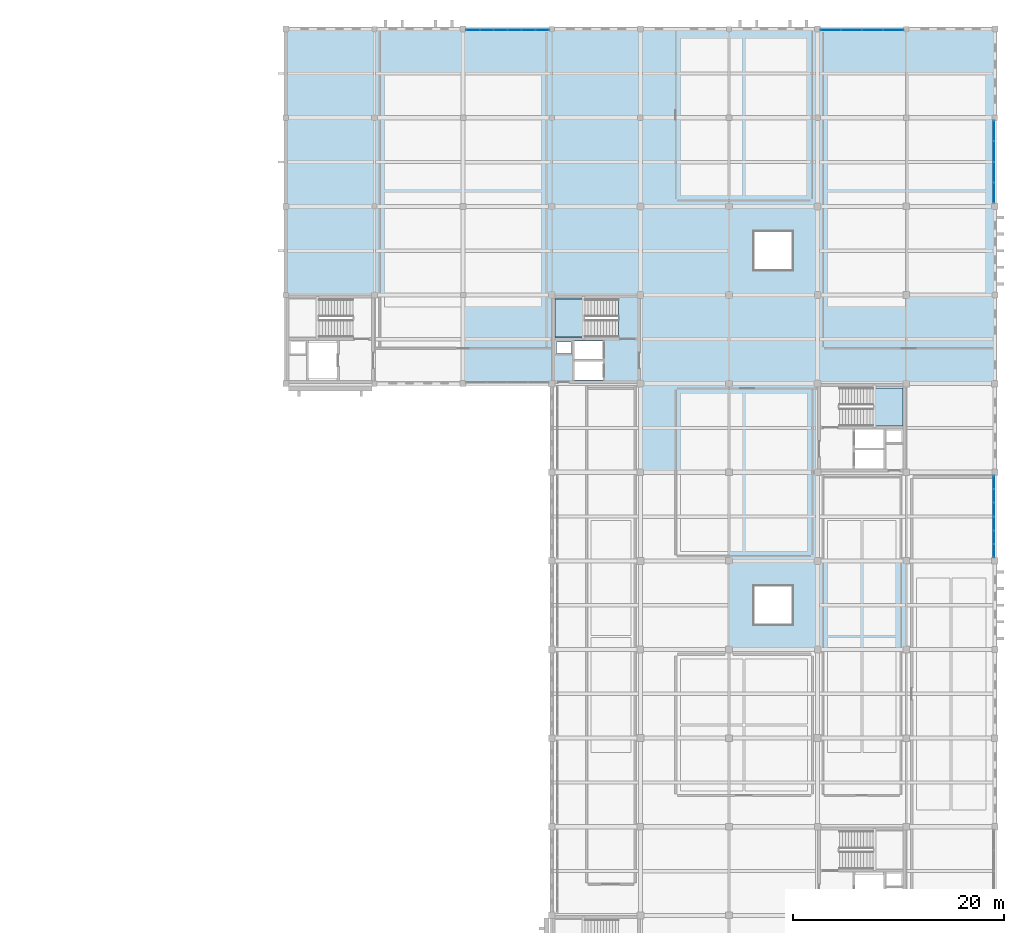
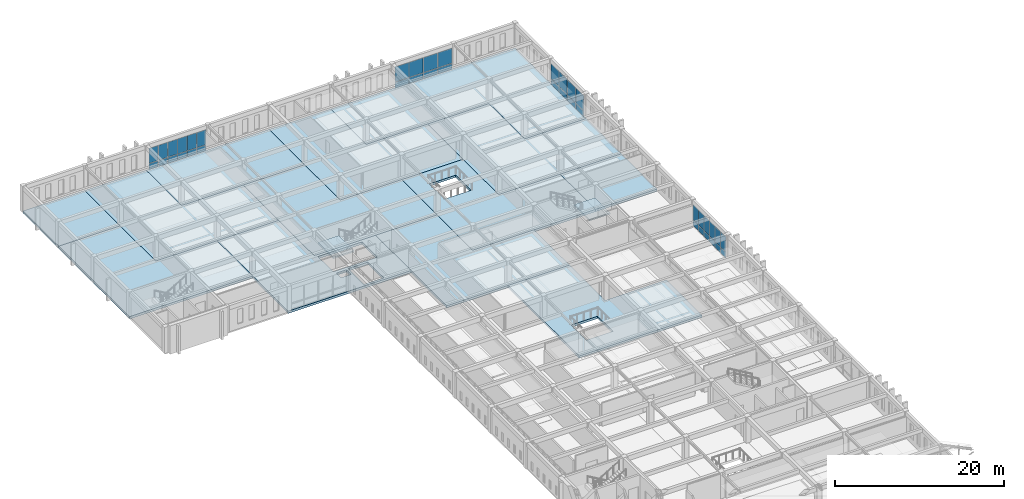
# One storey, part 25 of 47: 40 plates, 15 slabs, 6 elements without a shape of their own.
"""IFC4 building model written with IfcOpenShell, lengths in metres."""

from ifc_helpers import new_model, si_unit, direction, frame, origin, origin_2d, place, context, subcontext, project, spatial, polyline, rectangle, outline, extrude, material, layer, layer_set, type_object, element, aggregate, save


model = new_model("IFC4")

# Units and contexts
model_context = context("Model", 3, precision=1e-05, world=origin(), true_north=direction((0.0, 1.0)))
body_context = subcontext(model_context, "Body", "Model", "MODEL_VIEW")
ifc_project = project(units=[si_unit("LENGTHUNIT", "METRE"), si_unit("AREAUNIT", "SQUARE_METRE"), si_unit("VOLUMEUNIT", "CUBIC_METRE"), si_unit("PLANEANGLEUNIT", "RADIAN"), si_unit("MASSUNIT", "GRAM", prefix="KILO")], contexts=[model_context])

# Site, building, storey
site_placement = place(None, origin())
site = spatial("IfcSite", under=ifc_project, at=site_placement, CompositionType="ELEMENT")
building_placement = place(site_placement, origin())
building = spatial("IfcBuilding", under=site, at=building_placement, Name="Kveldsbrygga Polytechnic", CompositionType="ELEMENT")
storey_placement = place(building_placement, frame((0.0, 0.0, 13.93994140625)))
storey = spatial("IfcBuildingStorey", under=building, at=storey_placement, Name="L03", CompositionType="ELEMENT", Elevation=13.93994140625)

# Curtain wall, plates
ifc_material_1 = material(Name="Anodised aluminium AW-6060", Category="aluminium")
ifc_layer_1 = layer(ifc_material_1, 0.179931640625)
ifc_layer_set_1 = layer_set([ifc_layer_1], Name="Anodised aluminium AW-6060")
curtain_wall_type_1 = type_object("IfcCurtainWallType", Name="CW-CONC-A", PredefinedType="USERDEFINED", material=ifc_layer_set_1)
curtain_wall_1_placement = place(storey_placement, origin())
curtain_wall_1 = element("IfcCurtainWall", 1, at=curtain_wall_1_placement, inside=storey, type_object=curtain_wall_type_1, Name="Curtain Wall CW-L03-X-14-14", ObjectType="UNITISED CURTAIN WALL", PredefinedType="USERDEFINED")
ifc_material_2 = material(Name="Insulated triple low-E glass", Category="glass")
ifc_layer_2 = layer(ifc_material_2, 0.035888671875)
ifc_layer_set_2 = layer_set([ifc_layer_2], Name="Insulated triple low-E glass")
plate_type_1 = type_object("IfcPlateType", Name="CW-PAN-VIS36", PredefinedType="CURTAIN_PANEL", material=ifc_layer_set_2)
plate_1_placement = place(storey_placement, frame((118.53369140625, 117.5, 0.06005859375), z_axis=(0.0, 0.0, 1.0), x_axis=(1.0, 0.0, 0.0)))
plate_1 = element("IfcPlate", 2, at=plate_1_placement, type_object=plate_type_1, Name="CW-01 panel 1.1", PredefinedType="CURTAIN_PANEL", context=body_context, shape_type="SweptSolid", body=[
    extrude(rectangle(XDim=1.2275390625, YDim=0.035888671875, at=origin_2d()), origin(), (0.0, 0.0, 1.0), 0.81005859375),
])
plate_2_placement = place(storey_placement, frame((118.53369140625, 117.5, 0.93017578125), z_axis=(0.0, 0.0, 1.0), x_axis=(1.0, 0.0, 0.0)))
plate_2 = element("IfcPlate", 3, at=plate_2_placement, type_object=plate_type_1, Name="CW-01 panel 1.2", PredefinedType="CURTAIN_PANEL", context=body_context, shape_type="SweptSolid", body=[
    extrude(rectangle(XDim=1.2275390625, YDim=0.035888671875, at=origin_2d()), origin(), (0.0, 0.0, 1.0), 2.159912109375),
])
plate_3_placement = place(storey_placement, frame((119.836181640625, 117.5, 0.06005859375), z_axis=(0.0, 0.0, 1.0), x_axis=(1.0, 0.0, 0.0)))
plate_3 = element("IfcPlate", 4, at=plate_3_placement, type_object=plate_type_1, Name="CW-01 panel 2.1", PredefinedType="CURTAIN_PANEL", context=body_context, shape_type="SweptSolid", body=[
    extrude(rectangle(XDim=1.257568359375, YDim=0.035888671875, at=origin_2d()), origin(), (0.0, 0.0, 1.0), 0.81005859375),
])
plate_4_placement = place(storey_placement, frame((119.836181640625, 117.5, 0.93017578125), z_axis=(0.0, 0.0, 1.0), x_axis=(1.0, 0.0, 0.0)))
plate_4 = element("IfcPlate", 5, at=plate_4_placement, type_object=plate_type_1, Name="CW-01 panel 2.2", PredefinedType="CURTAIN_PANEL", context=body_context, shape_type="SweptSolid", body=[
    extrude(rectangle(XDim=1.257568359375, YDim=0.035888671875, at=origin_2d()), origin(), (0.0, 0.0, 1.0), 2.159912109375),
])
plate_5_placement = place(storey_placement, frame((121.15380859375, 117.5, 0.06005859375), z_axis=(0.0, 0.0, 1.0), x_axis=(1.0, 0.0, 0.0)))
plate_5 = element("IfcPlate", 6, at=plate_5_placement, type_object=plate_type_1, Name="CW-01 panel 3.1", PredefinedType="CURTAIN_PANEL", context=body_context, shape_type="SweptSolid", body=[
    extrude(rectangle(XDim=1.257568359375, YDim=0.035888671875, at=origin_2d()), origin(), (0.0, 0.0, 1.0), 0.81005859375),
])
plate_6_placement = place(storey_placement, frame((121.15380859375, 117.5, 0.93017578125), z_axis=(0.0, 0.0, 1.0), x_axis=(1.0, 0.0, 0.0)))
plate_6 = element("IfcPlate", 7, at=plate_6_placement, type_object=plate_type_1, Name="CW-01 panel 3.2", PredefinedType="CURTAIN_PANEL", context=body_context, shape_type="SweptSolid", body=[
    extrude(rectangle(XDim=1.257568359375, YDim=0.035888671875, at=origin_2d()), origin(), (0.0, 0.0, 1.0), 2.159912109375),
])
plate_7_placement = place(storey_placement, frame((122.47119140625, 117.5, 0.06005859375), z_axis=(0.0, 0.0, 1.0), x_axis=(1.0, 0.0, 0.0)))
plate_7 = element("IfcPlate", 8, at=plate_7_placement, type_object=plate_type_1, Name="CW-01 panel 4.1", PredefinedType="CURTAIN_PANEL", context=body_context, shape_type="SweptSolid", body=[
    extrude(rectangle(XDim=1.257568359375, YDim=0.035888671875, at=origin_2d()), origin(), (0.0, 0.0, 1.0), 0.81005859375),
])
plate_8_placement = place(storey_placement, frame((122.47119140625, 117.5, 0.93017578125), z_axis=(0.0, 0.0, 1.0), x_axis=(1.0, 0.0, 0.0)))
plate_8 = element("IfcPlate", 9, at=plate_8_placement, type_object=plate_type_1, Name="CW-01 panel 4.2", PredefinedType="CURTAIN_PANEL", context=body_context, shape_type="SweptSolid", body=[
    extrude(rectangle(XDim=1.257568359375, YDim=0.035888671875, at=origin_2d()), origin(), (0.0, 0.0, 1.0), 2.159912109375),
])
plate_9_placement = place(storey_placement, frame((123.788818359375, 117.5, 0.06005859375), z_axis=(0.0, 0.0, 1.0), x_axis=(1.0, 0.0, 0.0)))
plate_9 = element("IfcPlate", 10, at=plate_9_placement, type_object=plate_type_1, Name="CW-01 panel 5.1", PredefinedType="CURTAIN_PANEL", context=body_context, shape_type="SweptSolid", body=[
    extrude(rectangle(XDim=1.257568359375, YDim=0.035888671875, at=origin_2d()), origin(), (0.0, 0.0, 1.0), 0.81005859375),
])
plate_10_placement = place(storey_placement, frame((123.788818359375, 117.5, 0.93017578125), z_axis=(0.0, 0.0, 1.0), x_axis=(1.0, 0.0, 0.0)))
plate_10 = element("IfcPlate", 11, at=plate_10_placement, type_object=plate_type_1, Name="CW-01 panel 5.2", PredefinedType="CURTAIN_PANEL", context=body_context, shape_type="SweptSolid", body=[
    extrude(rectangle(XDim=1.257568359375, YDim=0.035888671875, at=origin_2d()), origin(), (0.0, 0.0, 1.0), 2.159912109375),
])
plate_11_placement = place(storey_placement, frame((125.09130859375, 117.5, 0.06005859375), z_axis=(0.0, 0.0, 1.0), x_axis=(1.0, 0.0, 0.0)))
plate_11 = element("IfcPlate", 12, at=plate_11_placement, type_object=plate_type_1, Name="CW-01 panel 6.1", PredefinedType="CURTAIN_PANEL", context=body_context, shape_type="SweptSolid", body=[
    extrude(rectangle(XDim=1.2275390625, YDim=0.035888671875, at=origin_2d()), origin(), (0.0, 0.0, 1.0), 0.81005859375),
])
plate_12_placement = place(storey_placement, frame((125.09130859375, 117.5, 0.93017578125), z_axis=(0.0, 0.0, 1.0), x_axis=(1.0, 0.0, 0.0)))
plate_12 = element("IfcPlate", 13, at=plate_12_placement, type_object=plate_type_1, Name="CW-01 panel 6.2", PredefinedType="CURTAIN_PANEL", context=body_context, shape_type="SweptSolid", body=[
    extrude(rectangle(XDim=1.2275390625, YDim=0.035888671875, at=origin_2d()), origin(), (0.0, 0.0, 1.0), 2.159912109375),
])
aggregate(curtain_wall_1, [plate_1, plate_2, plate_3, plate_4, plate_5, plate_6, plate_7, plate_8, plate_9, plate_10, plate_11, plate_12])

curtain_wall_2_placement = place(storey_placement, origin())
curtain_wall_2 = element("IfcCurtainWall", 14, at=curtain_wall_2_placement, inside=storey, type_object=curtain_wall_type_1, Name="Curtain Wall CW-L03-Y-20-08", ObjectType="UNITISED CURTAIN WALL", PredefinedType="USERDEFINED")
plate_13_placement = place(storey_placement, frame((167.89990234375, 68.1533203125, 0.06005859375), z_axis=(0.0, 0.0, 1.0), x_axis=(0.0, 1.0, 0.0)))
plate_13 = element("IfcPlate", 15, at=plate_13_placement, type_object=plate_type_1, Name="CW-01 panel 1.1", PredefinedType="CURTAIN_PANEL", context=body_context, shape_type="SweptSolid", body=[
    extrude(rectangle(XDim=1.216552734375, YDim=0.035888671875, at=origin_2d()), origin(), (0.0, 0.0, 1.0), 0.81005859375),
])
plate_14_placement = place(storey_placement, frame((167.89990234375, 68.1533203125, 0.93017578125), z_axis=(0.0, 0.0, 1.0), x_axis=(0.0, 1.0, 0.0)))
plate_14 = element("IfcPlate", 16, at=plate_14_placement, type_object=plate_type_1, Name="CW-01 panel 1.2", PredefinedType="CURTAIN_PANEL", context=body_context, shape_type="SweptSolid", body=[
    extrude(rectangle(XDim=1.216552734375, YDim=0.035888671875, at=origin_2d()), origin(), (0.0, 0.0, 1.0), 2.159912109375),
])
plate_15_placement = place(storey_placement, frame((167.89990234375, 69.445068359375, 0.06005859375), z_axis=(0.0, 0.0, 1.0), x_axis=(0.0, 1.0, 0.0)))
plate_15 = element("IfcPlate", 17, at=plate_15_placement, type_object=plate_type_1, Name="CW-01 panel 2.1", PredefinedType="CURTAIN_PANEL", context=body_context, shape_type="SweptSolid", body=[
    extrude(rectangle(XDim=1.24658203125, YDim=0.035888671875, at=origin_2d()), origin(), (0.0, 0.0, 1.0), 0.81005859375),
])
plate_16_placement = place(storey_placement, frame((167.89990234375, 69.445068359375, 0.93017578125), z_axis=(0.0, 0.0, 1.0), x_axis=(0.0, 1.0, 0.0)))
plate_16 = element("IfcPlate", 18, at=plate_16_placement, type_object=plate_type_1, Name="CW-01 panel 2.2", PredefinedType="CURTAIN_PANEL", context=body_context, shape_type="SweptSolid", body=[
    extrude(rectangle(XDim=1.24658203125, YDim=0.035888671875, at=origin_2d()), origin(), (0.0, 0.0, 1.0), 2.159912109375),
])
plate_17_placement = place(storey_placement, frame((167.89990234375, 70.751708984375, 0.06005859375), z_axis=(0.0, 0.0, 1.0), x_axis=(0.0, 1.0, 0.0)))
plate_17 = element("IfcPlate", 19, at=plate_17_placement, type_object=plate_type_1, Name="CW-01 panel 3.1", PredefinedType="CURTAIN_PANEL", context=body_context, shape_type="SweptSolid", body=[
    extrude(rectangle(XDim=1.24658203125, YDim=0.035888671875, at=origin_2d()), origin(), (0.0, 0.0, 1.0), 0.81005859375),
])
plate_18_placement = place(storey_placement, frame((167.89990234375, 70.751708984375, 0.93017578125), z_axis=(0.0, 0.0, 1.0), x_axis=(0.0, 1.0, 0.0)))
plate_18 = element("IfcPlate", 20, at=plate_18_placement, type_object=plate_type_1, Name="CW-01 panel 3.2", PredefinedType="CURTAIN_PANEL", context=body_context, shape_type="SweptSolid", body=[
    extrude(rectangle(XDim=1.24658203125, YDim=0.035888671875, at=origin_2d()), origin(), (0.0, 0.0, 1.0), 2.159912109375),
])
plate_19_placement = place(storey_placement, frame((167.89990234375, 72.058349609375, 0.06005859375), z_axis=(0.0, 0.0, 1.0), x_axis=(0.0, 1.0, 0.0)))
plate_19 = element("IfcPlate", 21, at=plate_19_placement, type_object=plate_type_1, Name="CW-01 panel 4.1", PredefinedType="CURTAIN_PANEL", context=body_context, shape_type="SweptSolid", body=[
    extrude(rectangle(XDim=1.24658203125, YDim=0.035888671875, at=origin_2d()), origin(), (0.0, 0.0, 1.0), 0.81005859375),
])
plate_20_placement = place(storey_placement, frame((167.89990234375, 72.058349609375, 0.93017578125), z_axis=(0.0, 0.0, 1.0), x_axis=(0.0, 1.0, 0.0)))
plate_20 = element("IfcPlate", 22, at=plate_20_placement, type_object=plate_type_1, Name="CW-01 panel 4.2", PredefinedType="CURTAIN_PANEL", context=body_context, shape_type="SweptSolid", body=[
    extrude(rectangle(XDim=1.24658203125, YDim=0.035888671875, at=origin_2d()), origin(), (0.0, 0.0, 1.0), 2.159912109375),
])
plate_21_placement = place(storey_placement, frame((167.89990234375, 73.364990234375, 0.06005859375), z_axis=(0.0, 0.0, 1.0), x_axis=(0.0, 1.0, 0.0)))
plate_21 = element("IfcPlate", 23, at=plate_21_placement, type_object=plate_type_1, Name="CW-01 panel 5.1", PredefinedType="CURTAIN_PANEL", context=body_context, shape_type="SweptSolid", body=[
    extrude(rectangle(XDim=1.24658203125, YDim=0.035888671875, at=origin_2d()), origin(), (0.0, 0.0, 1.0), 0.81005859375),
])
plate_22_placement = place(storey_placement, frame((167.89990234375, 73.364990234375, 0.93017578125), z_axis=(0.0, 0.0, 1.0), x_axis=(0.0, 1.0, 0.0)))
plate_22 = element("IfcPlate", 24, at=plate_22_placement, type_object=plate_type_1, Name="CW-01 panel 5.2", PredefinedType="CURTAIN_PANEL", context=body_context, shape_type="SweptSolid", body=[
    extrude(rectangle(XDim=1.24658203125, YDim=0.035888671875, at=origin_2d()), origin(), (0.0, 0.0, 1.0), 2.159912109375),
])
plate_23_placement = place(storey_placement, frame((167.89990234375, 74.65673828125, 0.06005859375), z_axis=(0.0, 0.0, 1.0), x_axis=(0.0, 1.0, 0.0)))
plate_23 = element("IfcPlate", 25, at=plate_23_placement, type_object=plate_type_1, Name="CW-01 panel 6.1", PredefinedType="CURTAIN_PANEL", context=body_context, shape_type="SweptSolid", body=[
    extrude(rectangle(XDim=1.216552734375, YDim=0.035888671875, at=origin_2d()), origin(), (0.0, 0.0, 1.0), 0.81005859375),
])
plate_24_placement = place(storey_placement, frame((167.89990234375, 74.65673828125, 0.93017578125), z_axis=(0.0, 0.0, 1.0), x_axis=(0.0, 1.0, 0.0)))
plate_24 = element("IfcPlate", 26, at=plate_24_placement, type_object=plate_type_1, Name="CW-01 panel 6.2", PredefinedType="CURTAIN_PANEL", context=body_context, shape_type="SweptSolid", body=[
    extrude(rectangle(XDim=1.216552734375, YDim=0.035888671875, at=origin_2d()), origin(), (0.0, 0.0, 1.0), 2.159912109375),
])
aggregate(curtain_wall_2, [plate_13, plate_14, plate_15, plate_16, plate_17, plate_18, plate_19, plate_20, plate_21, plate_22, plate_23, plate_24])

ifc_layer_3 = layer(ifc_material_1, 0.199951171875)
ifc_layer_set_3 = layer_set([ifc_layer_3], Name="Anodised aluminium AW-6060")
curtain_wall_type_2 = type_object("IfcCurtainWallType", Name="CW-LANC-E", PredefinedType="USERDEFINED", material=ifc_layer_set_3)
curtain_wall_3_placement = place(storey_placement, origin())
curtain_wall_3 = element("IfcCurtainWall", 27, at=curtain_wall_3_placement, inside=storey, type_object=curtain_wall_type_2, Name="Curtain Wall CW-L03-X-18-14", ObjectType="UNITISED CURTAIN WALL", PredefinedType="USERDEFINED")
ifc_layer_4 = layer(ifc_material_2, 0.0419921875)
ifc_layer_set_4 = layer_set([ifc_layer_4], Name="Insulated triple low-E glass")
plate_type_2 = type_object("IfcPlateType", Name="CW-PAN-VIS42", PredefinedType="CURTAIN_PANEL", material=ifc_layer_set_4)
plate_25_placement = place(storey_placement, frame((152.463134765625, 117.5, 0.06005859375), z_axis=(0.0, 0.0, 1.0), x_axis=(1.0, 0.0, 0.0)))
plate_25 = element("IfcPlate", 28, at=plate_25_placement, type_object=plate_type_2, Name="CW-05 panel 1.1", PredefinedType="CURTAIN_PANEL", context=body_context, shape_type="SweptSolid", body=[
    extrude(rectangle(XDim=1.88623046875, YDim=0.0419921875, at=origin_2d()), origin(), (0.0, 0.0, 1.0), 0.81005859375),
])
plate_26_placement = place(storey_placement, frame((152.463134765625, 117.5, 0.93017578125), z_axis=(0.0, 0.0, 1.0), x_axis=(1.0, 0.0, 0.0)))
plate_26 = element("IfcPlate", 29, at=plate_26_placement, type_object=plate_type_2, Name="CW-05 panel 1.2", PredefinedType="CURTAIN_PANEL", context=body_context, shape_type="SweptSolid", body=[
    extrude(rectangle(XDim=1.88623046875, YDim=0.0419921875, at=origin_2d()), origin(), (0.0, 0.0, 1.0), 2.159912109375),
])
plate_27_placement = place(storey_placement, frame((154.42431640625, 117.5, 0.06005859375), z_axis=(0.0, 0.0, 1.0), x_axis=(1.0, 0.0, 0.0)))
plate_27 = element("IfcPlate", 30, at=plate_27_placement, type_object=plate_type_2, Name="CW-05 panel 2.1", PredefinedType="CURTAIN_PANEL", context=body_context, shape_type="SweptSolid", body=[
    extrude(rectangle(XDim=1.916259765625, YDim=0.0419921875, at=origin_2d()), origin(), (0.0, 0.0, 1.0), 0.81005859375),
])
plate_28_placement = place(storey_placement, frame((154.42431640625, 117.5, 0.93017578125), z_axis=(0.0, 0.0, 1.0), x_axis=(1.0, 0.0, 0.0)))
plate_28 = element("IfcPlate", 31, at=plate_28_placement, type_object=plate_type_2, Name="CW-05 panel 2.2", PredefinedType="CURTAIN_PANEL", context=body_context, shape_type="SweptSolid", body=[
    extrude(rectangle(XDim=1.916259765625, YDim=0.0419921875, at=origin_2d()), origin(), (0.0, 0.0, 1.0), 2.159912109375),
])
plate_29_placement = place(storey_placement, frame((156.400634765625, 117.5, 0.06005859375), z_axis=(0.0, 0.0, 1.0), x_axis=(1.0, 0.0, 0.0)))
plate_29 = element("IfcPlate", 32, at=plate_29_placement, type_object=plate_type_2, Name="CW-05 panel 3.1", PredefinedType="CURTAIN_PANEL", context=body_context, shape_type="SweptSolid", body=[
    extrude(rectangle(XDim=1.916259765625, YDim=0.0419921875, at=origin_2d()), origin(), (0.0, 0.0, 1.0), 0.81005859375),
])
plate_30_placement = place(storey_placement, frame((156.400634765625, 117.5, 0.93017578125), z_axis=(0.0, 0.0, 1.0), x_axis=(1.0, 0.0, 0.0)))
plate_30 = element("IfcPlate", 33, at=plate_30_placement, type_object=plate_type_2, Name="CW-05 panel 3.2", PredefinedType="CURTAIN_PANEL", context=body_context, shape_type="SweptSolid", body=[
    extrude(rectangle(XDim=1.916259765625, YDim=0.0419921875, at=origin_2d()), origin(), (0.0, 0.0, 1.0), 2.159912109375),
])
plate_31_placement = place(storey_placement, frame((158.36181640625, 117.5, 0.06005859375), z_axis=(0.0, 0.0, 1.0), x_axis=(1.0, 0.0, 0.0)))
plate_31 = element("IfcPlate", 34, at=plate_31_placement, type_object=plate_type_2, Name="CW-05 panel 4.1", PredefinedType="CURTAIN_PANEL", context=body_context, shape_type="SweptSolid", body=[
    extrude(rectangle(XDim=1.88623046875, YDim=0.0419921875, at=origin_2d()), origin(), (0.0, 0.0, 1.0), 0.81005859375),
])
plate_32_placement = place(storey_placement, frame((158.36181640625, 117.5, 0.93017578125), z_axis=(0.0, 0.0, 1.0), x_axis=(1.0, 0.0, 0.0)))
plate_32 = element("IfcPlate", 35, at=plate_32_placement, type_object=plate_type_2, Name="CW-05 panel 4.2", PredefinedType="CURTAIN_PANEL", context=body_context, shape_type="SweptSolid", body=[
    extrude(rectangle(XDim=1.88623046875, YDim=0.0419921875, at=origin_2d()), origin(), (0.0, 0.0, 1.0), 2.159912109375),
])
aggregate(curtain_wall_3, [plate_25, plate_26, plate_27, plate_28, plate_29, plate_30, plate_31, plate_32])

curtain_wall_4_placement = place(storey_placement, origin())
curtain_wall_4 = element("IfcCurtainWall", 36, at=curtain_wall_4_placement, inside=storey, type_object=curtain_wall_type_2, Name="Curtain Wall CW-L03-Y-20-12", ObjectType="UNITISED CURTAIN WALL", PredefinedType="USERDEFINED")
plate_33_placement = place(storey_placement, frame((167.89990234375, 102.083740234375, 0.06005859375), z_axis=(0.0, 0.0, 1.0), x_axis=(0.0, 1.0, 0.0)))
plate_33 = element("IfcPlate", 37, at=plate_33_placement, type_object=plate_type_2, Name="CW-05 panel 1.1", PredefinedType="CURTAIN_PANEL", context=body_context, shape_type="SweptSolid", body=[
    extrude(rectangle(XDim=1.87744140625, YDim=0.0419921875, at=origin_2d()), origin(), (0.0, 0.0, 1.0), 0.81005859375),
])
plate_34_placement = place(storey_placement, frame((167.89990234375, 102.083740234375, 0.93017578125), z_axis=(0.0, 0.0, 1.0), x_axis=(0.0, 1.0, 0.0)))
plate_34 = element("IfcPlate", 38, at=plate_34_placement, type_object=plate_type_2, Name="CW-05 panel 1.2", PredefinedType="CURTAIN_PANEL", context=body_context, shape_type="SweptSolid", body=[
    extrude(rectangle(XDim=1.87744140625, YDim=0.0419921875, at=origin_2d()), origin(), (0.0, 0.0, 1.0), 2.159912109375),
])
plate_35_placement = place(storey_placement, frame((167.89990234375, 104.0361328125, 0.06005859375), z_axis=(0.0, 0.0, 1.0), x_axis=(0.0, 1.0, 0.0)))
plate_35 = element("IfcPlate", 39, at=plate_35_placement, type_object=plate_type_2, Name="CW-05 panel 2.1", PredefinedType="CURTAIN_PANEL", context=body_context, shape_type="SweptSolid", body=[
    extrude(rectangle(XDim=1.907470703125, YDim=0.0419921875, at=origin_2d()), origin(), (0.0, 0.0, 1.0), 0.81005859375),
])
plate_36_placement = place(storey_placement, frame((167.89990234375, 104.0361328125, 0.93017578125), z_axis=(0.0, 0.0, 1.0), x_axis=(0.0, 1.0, 0.0)))
plate_36 = element("IfcPlate", 40, at=plate_36_placement, type_object=plate_type_2, Name="CW-05 panel 2.2", PredefinedType="CURTAIN_PANEL", context=body_context, shape_type="SweptSolid", body=[
    extrude(rectangle(XDim=1.907470703125, YDim=0.0419921875, at=origin_2d()), origin(), (0.0, 0.0, 1.0), 2.159912109375),
])
plate_37_placement = place(storey_placement, frame((167.89990234375, 106.003662109375, 0.06005859375), z_axis=(0.0, 0.0, 1.0), x_axis=(0.0, 1.0, 0.0)))
plate_37 = element("IfcPlate", 41, at=plate_37_placement, type_object=plate_type_2, Name="CW-05 panel 3.1", PredefinedType="CURTAIN_PANEL", context=body_context, shape_type="SweptSolid", body=[
    extrude(rectangle(XDim=1.907470703125, YDim=0.0419921875, at=origin_2d()), origin(), (0.0, 0.0, 1.0), 0.81005859375),
])
plate_38_placement = place(storey_placement, frame((167.89990234375, 106.003662109375, 0.93017578125), z_axis=(0.0, 0.0, 1.0), x_axis=(0.0, 1.0, 0.0)))
plate_38 = element("IfcPlate", 42, at=plate_38_placement, type_object=plate_type_2, Name="CW-05 panel 3.2", PredefinedType="CURTAIN_PANEL", context=body_context, shape_type="SweptSolid", body=[
    extrude(rectangle(XDim=1.907470703125, YDim=0.0419921875, at=origin_2d()), origin(), (0.0, 0.0, 1.0), 2.159912109375),
])
plate_39_placement = place(storey_placement, frame((167.89990234375, 107.956298828125, 0.06005859375), z_axis=(0.0, 0.0, 1.0), x_axis=(0.0, 1.0, 0.0)))
plate_39 = element("IfcPlate", 43, at=plate_39_placement, type_object=plate_type_2, Name="CW-05 panel 4.1", PredefinedType="CURTAIN_PANEL", context=body_context, shape_type="SweptSolid", body=[
    extrude(rectangle(XDim=1.87744140625, YDim=0.0419921875, at=origin_2d()), origin(), (0.0, 0.0, 1.0), 0.81005859375),
])
plate_40_placement = place(storey_placement, frame((167.89990234375, 107.956298828125, 0.93017578125), z_axis=(0.0, 0.0, 1.0), x_axis=(0.0, 1.0, 0.0)))
plate_40 = element("IfcPlate", 44, at=plate_40_placement, type_object=plate_type_2, Name="CW-05 panel 4.2", PredefinedType="CURTAIN_PANEL", context=body_context, shape_type="SweptSolid", body=[
    extrude(rectangle(XDim=1.87744140625, YDim=0.0419921875, at=origin_2d()), origin(), (0.0, 0.0, 1.0), 2.159912109375),
])
aggregate(curtain_wall_4, [plate_33, plate_34, plate_35, plate_36, plate_37, plate_38, plate_39, plate_40])

# Stair, slab
ifc_material_3 = material(Name="Concrete C35/45", Category="concrete")
stair_type = type_object("IfcStairType", Name="STR-CORE-408", PredefinedType="HALF_TURN_STAIR", material=ifc_material_3)
stair_1_placement = place(storey_placement, origin())
stair_1 = element("IfcStair", 45, at=stair_1_placement, inside=storey, type_object=stair_type, Name="L03 Core C2 Escape Stair ST-2", PredefinedType="HALF_TURN_STAIR")
ifc_layer_5 = layer(ifc_material_3, 0.199951171875)
ifc_layer_set_5 = layer_set([ifc_layer_5], Name="Concrete C35/45")
slab_type_1 = type_object("IfcSlabType", Name="SLB-LANDING-200", PredefinedType="LANDING", material=ifc_layer_set_5)
slab_1_placement = place(storey_placement, frame((0.0, 0.0, 1.840087890625)))
slab_1 = element("IfcSlab", 46, at=slab_1_placement, type_object=slab_type_1, Name="ST-2 landing 1", PredefinedType="LANDING", context=body_context, shape_type="SweptSolid", body=[
    extrude(outline(polyline([(129.159912109375, 92.0), (126.300048828125, 92.0), (126.300048828125, 88.39990234375), (129.159912109375, 88.39990234375), (129.159912109375, 92.0)])), origin(), (0.0, 0.0, 1.0), 0.199951171875),
])
aggregate(stair_1, [slab_1])

stair_2_placement = place(storey_placement, origin())
stair_2 = element("IfcStair", 47, at=stair_2_placement, inside=storey, type_object=stair_type, Name="L03 Core C4 Escape Stair ST-4", PredefinedType="HALF_TURN_STAIR")
slab_2_placement = place(storey_placement, frame((0.0, 0.0, 1.840087890625)))
slab_2 = element("IfcSlab", 48, at=slab_2_placement, type_object=slab_type_1, Name="ST-4 landing 1", PredefinedType="LANDING", context=body_context, shape_type="SweptSolid", body=[
    extrude(outline(polyline([(156.43994140625, 80.0), (159.300048828125, 80.0), (159.300048828125, 83.60009765625), (156.43994140625, 83.60009765625), (156.43994140625, 80.0)])), origin(), (0.0, 0.0, 1.0), 0.199951171875),
])
aggregate(stair_2, [slab_2])

# Slabs
ifc_layer_6 = layer(ifc_material_3, 0.330078125)
ifc_layer_set_6 = layer_set([ifc_layer_6], Name="Concrete C35/45")
slab_type_2 = type_object("IfcSlabType", Name="SLB-STACK-330", PredefinedType="FLOOR", material=ifc_layer_set_6)
slab_3_placement = place(storey_placement, frame((0.0, 0.0, -0.329833984375)))
element("IfcSlab", 49, at=slab_3_placement, inside=storey, type_object=slab_type_2, Name="Slab SLB-L03-V4-L01-1", PredefinedType="FLOOR", context=body_context, shape_type="SweptSolid", body=[
    extrude(outline(polyline([(100.800048828125, 92.39990234375), (100.800048828125, 100.800048828125), (100.800048828125, 109.199951171875), (109.199951171875, 109.199951171875), (109.199951171875, 100.800048828125), (117.60009765625, 100.800048828125), (117.60009765625, 92.39990234375), (109.199951171875, 92.39990234375), (100.800048828125, 92.39990234375)])), origin(), (0.0, 0.0, 1.0), 0.329833984375),
])
slab_4_placement = place(storey_placement, frame((0.0, 0.0, -0.329833984375)))
element("IfcSlab", 50, at=slab_4_placement, inside=storey, type_object=slab_type_2, Name="Slab SLB-L03-V4-L02-1", PredefinedType="FLOOR", context=body_context, shape_type="SweptSolid", body=[
    extrude(outline(polyline([(109.199951171875, 100.800048828125), (109.199951171875, 109.199951171875), (109.199951171875, 117.60009765625), (117.60009765625, 117.60009765625), (117.60009765625, 109.199951171875), (126.0, 109.199951171875), (126.0, 100.800048828125), (117.60009765625, 100.800048828125), (109.199951171875, 100.800048828125)])), origin(), (0.0, 0.0, 1.0), 0.329833984375),
])
slab_5_placement = place(storey_placement, frame((0.0, 0.0, -0.329833984375)))
element("IfcSlab", 51, at=slab_5_placement, inside=storey, type_object=slab_type_2, Name="Slab SLB-L03-V4-L07-1", PredefinedType="FLOOR", context=body_context, shape_type="SweptSolid", body=[
    extrude(outline(polyline([(126.0, 92.39990234375), (126.0, 100.800048828125), (126.0, 109.199951171875), (134.39990234375, 109.199951171875), (134.39990234375, 100.800048828125), (142.800048828125, 100.800048828125), (142.800048828125, 92.39990234375), (134.39990234375, 92.39990234375), (126.0, 92.39990234375)])), origin(), (0.0, 0.0, 1.0), 0.329833984375),
])
slab_6_placement = place(storey_placement, frame((0.0, 0.0, -0.329833984375)))
element("IfcSlab", 52, at=slab_6_placement, inside=storey, type_object=slab_type_2, Name="Slab SLB-L03-V4-L09-1", PredefinedType="FLOOR", context=body_context, shape_type="SweptSolid", body=[
    extrude(outline(polyline([(134.39990234375, 75.60009765625), (134.39990234375, 84.0), (134.39990234375, 92.39990234375), (142.800048828125, 92.39990234375), (142.800048828125, 84.0), (151.199951171875, 84.0), (151.199951171875, 75.60009765625), (142.800048828125, 75.60009765625), (134.39990234375, 75.60009765625)])), origin(), (0.0, 0.0, 1.0), 0.329833984375),
])
slab_7_placement = place(storey_placement, frame((0.0, 0.0, -0.329833984375)))
element("IfcSlab", 53, at=slab_7_placement, inside=storey, type_object=slab_type_2, Name="Slab SLB-L03-V4-L10-1", PredefinedType="FLOOR", context=body_context, shape_type="SweptSolid", body=[
    extrude(outline(polyline([(134.39990234375, 100.800048828125), (134.39990234375, 109.199951171875), (134.39990234375, 117.60009765625), (142.800048828125, 117.60009765625), (142.800048828125, 109.199951171875), (151.199951171875, 109.199951171875), (151.199951171875, 100.800048828125), (142.800048828125, 100.800048828125), (134.39990234375, 100.800048828125)])), origin(), (0.0, 0.0, 1.0), 0.329833984375),
])
slab_8_placement = place(storey_placement, frame((0.0, 0.0, -0.329833984375)))
element("IfcSlab", 54, at=slab_8_placement, inside=storey, type_object=slab_type_2, Name="Slab SLB-L03-V4-L13-1", PredefinedType="FLOOR", context=body_context, shape_type="SweptSolid", body=[
    extrude(outline(polyline([(142.800048828125, 58.800048828125), (142.800048828125, 67.199951171875), (142.800048828125, 75.60009765625), (151.199951171875, 75.60009765625), (151.199951171875, 67.199951171875), (159.60009765625, 67.199951171875), (159.60009765625, 58.800048828125), (151.199951171875, 58.800048828125), (142.800048828125, 58.800048828125)]), holes=[polyline([(145.199951171875, 61.199951171875), (148.800048828125, 61.199951171875), (148.800048828125, 64.800048828125), (145.199951171875, 64.800048828125), (145.199951171875, 61.199951171875)])]), origin(), (0.0, 0.0, 1.0), 0.329833984375),
])
slab_9_placement = place(storey_placement, frame((0.0, 0.0, -0.329833984375)))
element("IfcSlab", 55, at=slab_9_placement, inside=storey, type_object=slab_type_2, Name="Slab SLB-L03-V4-L14-1", PredefinedType="FLOOR", context=body_context, shape_type="SweptSolid", body=[
    extrude(outline(polyline([(142.800048828125, 84.0), (142.800048828125, 92.39990234375), (142.800048828125, 100.800048828125), (151.199951171875, 100.800048828125), (151.199951171875, 92.39990234375), (159.60009765625, 92.39990234375), (159.60009765625, 84.0), (151.199951171875, 84.0), (142.800048828125, 84.0)]), holes=[polyline([(145.199951171875, 94.800048828125), (148.800048828125, 94.800048828125), (148.800048828125, 98.39990234375), (145.199951171875, 98.39990234375), (145.199951171875, 94.800048828125)])]), origin(), (0.0, 0.0, 1.0), 0.329833984375),
])
slab_10_placement = place(storey_placement, frame((0.0, 0.0, -0.329833984375)))
element("IfcSlab", 56, at=slab_10_placement, inside=storey, type_object=slab_type_2, Name="Slab SLB-L03-V4-L16-1", PredefinedType="FLOOR", context=body_context, shape_type="SweptSolid", body=[
    extrude(outline(polyline([(151.199951171875, 92.39990234375), (151.199951171875, 100.800048828125), (151.199951171875, 109.199951171875), (159.60009765625, 109.199951171875), (159.60009765625, 100.800048828125), (168.0, 100.800048828125), (168.0, 92.39990234375), (159.60009765625, 92.39990234375), (151.199951171875, 92.39990234375)])), origin(), (0.0, 0.0, 1.0), 0.329833984375),
])
slab_11_placement = place(storey_placement, frame((0.0, 0.0, -0.329833984375)))
element("IfcSlab", 57, at=slab_11_placement, inside=storey, type_object=slab_type_2, Name="Slab SLB-L03-V4-Z8-2", PredefinedType="FLOOR", context=body_context, shape_type="SweptSolid", body=[
    extrude(outline(polyline([(100.800048828125, 117.60009765625), (109.199951171875, 117.60009765625), (109.199951171875, 109.199951171875), (100.800048828125, 109.199951171875), (100.800048828125, 117.60009765625)])), origin(), (0.0, 0.0, 1.0), 0.329833984375),
])
slab_12_placement = place(storey_placement, frame((0.0, 0.0, -0.329833984375)))
element("IfcSlab", 58, at=slab_12_placement, inside=storey, type_object=slab_type_2, Name="Slab SLB-L03-V4-Z9-1", PredefinedType="FLOOR", context=body_context, shape_type="SweptSolid", body=[
    extrude(outline(polyline([(117.60009765625, 100.800048828125), (126.0, 100.800048828125), (126.0, 92.39990234375), (134.39990234375, 92.39990234375), (134.39990234375, 84.0), (126.0, 84.0), (117.60009765625, 84.0), (117.60009765625, 92.39990234375), (117.60009765625, 100.800048828125)]), holes=[polyline([(132.324951171875, 92.0), (126.300048828125, 92.0), (126.300048828125, 88.39990234375), (132.324951171875, 88.39990234375), (132.324951171875, 92.0)]), polyline([(128.14990234375, 84.35009765625), (130.85009765625, 84.35009765625), (130.85009765625, 88.050048828125), (128.14990234375, 88.050048828125), (128.14990234375, 84.35009765625)]), polyline([(126.449951171875, 86.85009765625), (127.85009765625, 86.85009765625), (127.85009765625, 87.949951171875), (126.449951171875, 87.949951171875), (126.449951171875, 86.85009765625)])]), origin(), (0.0, 0.0, 1.0), 0.329833984375),
])
slab_13_placement = place(storey_placement, frame((0.0, 0.0, -0.329833984375)))
element("IfcSlab", 59, at=slab_13_placement, inside=storey, type_object=slab_type_2, Name="Slab SLB-L03-V4-Z9-2", PredefinedType="FLOOR", context=body_context, shape_type="SweptSolid", body=[
    extrude(outline(polyline([(168.0, 92.39990234375), (168.0, 84.0), (159.60009765625, 84.0), (159.60009765625, 92.39990234375), (168.0, 92.39990234375)])), origin(), (0.0, 0.0, 1.0), 0.329833984375),
])
slab_14_placement = place(storey_placement, frame((0.0, 0.0, -0.329833984375)))
element("IfcSlab", 60, at=slab_14_placement, inside=storey, type_object=slab_type_2, Name="Slab SLB-L03-V4-Z9-3", PredefinedType="FLOOR", context=body_context, shape_type="SweptSolid", body=[
    extrude(outline(polyline([(168.0, 100.800048828125), (159.60009765625, 100.800048828125), (159.60009765625, 109.199951171875), (151.199951171875, 109.199951171875), (142.800048828125, 109.199951171875), (142.800048828125, 117.60009765625), (151.199951171875, 117.60009765625), (159.60009765625, 117.60009765625), (168.0, 117.60009765625), (168.0, 109.199951171875), (168.0, 100.800048828125)])), origin(), (0.0, 0.0, 1.0), 0.329833984375),
])
slab_15_placement = place(storey_placement, frame((0.0, 0.0, -0.329833984375)))
element("IfcSlab", 61, at=slab_15_placement, inside=storey, type_object=slab_type_2, Name="Slab SLB-L03-V4-Z9-4", PredefinedType="FLOOR", context=body_context, shape_type="SweptSolid", body=[
    extrude(outline(polyline([(126.0, 117.60009765625), (134.39990234375, 117.60009765625), (134.39990234375, 109.199951171875), (126.0, 109.199951171875), (117.60009765625, 109.199951171875), (117.60009765625, 117.60009765625), (126.0, 117.60009765625)])), origin(), (0.0, 0.0, 1.0), 0.329833984375),
])

save(model, "model.ifc")
